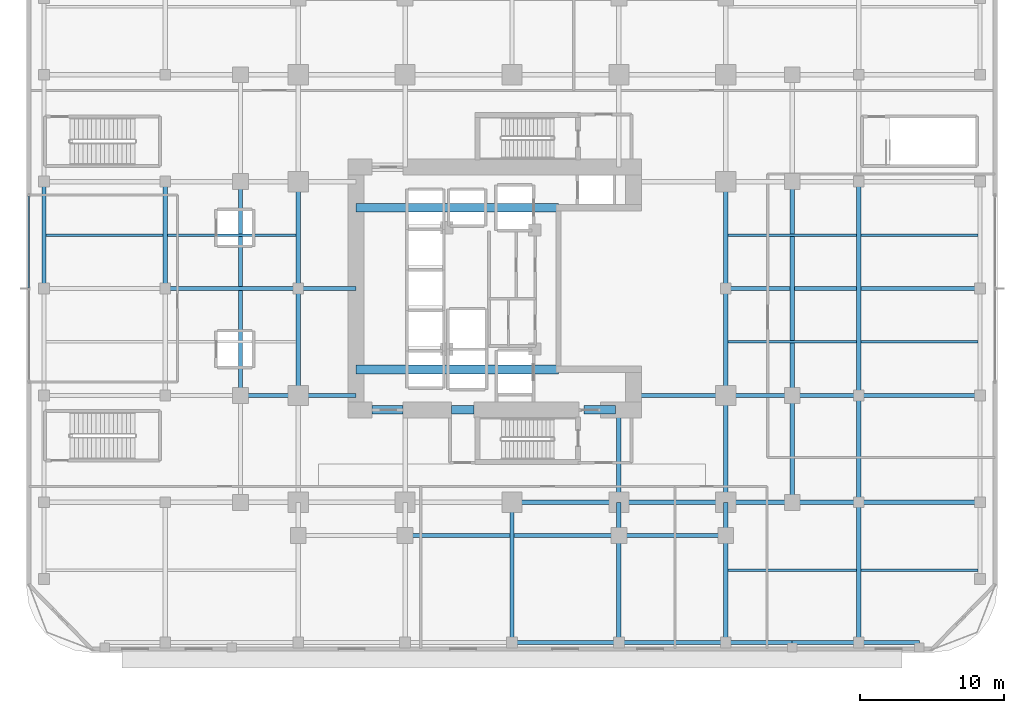
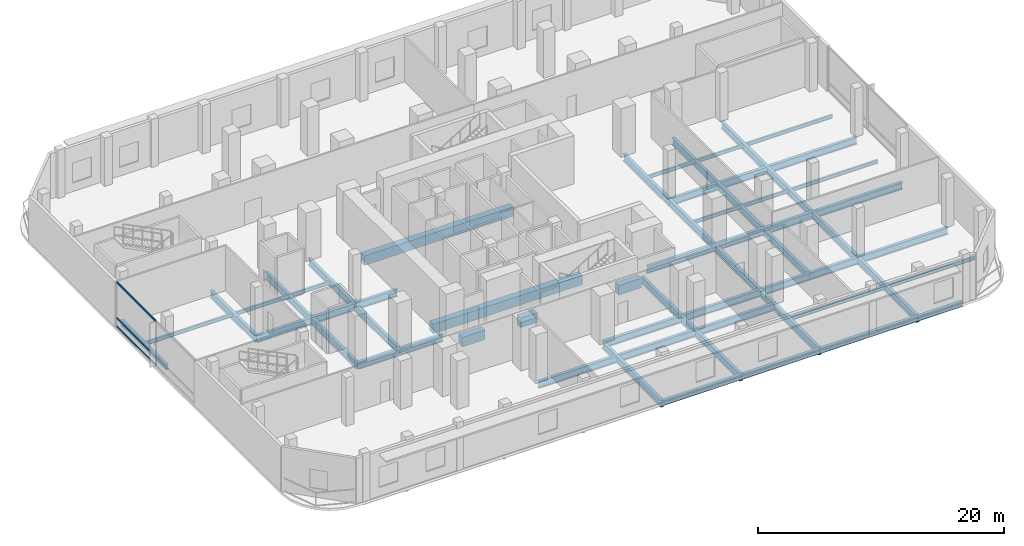
# One storey, part 3 of 19: 53 beams, 3 members, 1 element without a shape of its own.
"""IFC4 building model written with IfcOpenShell, lengths in metres."""

from ifc_helpers import new_model, si_unit, direction, frame, origin, origin_2d, place, context, subcontext, project, spatial, rectangle, hollow_rectangle, i_section, extrude, material, layer, layer_set, material_profile, profile_set, type_object, element, aggregate, save


model = new_model("IFC4")

# Units and contexts
model_context = context("Model", 3, precision=1e-05, world=origin(), true_north=direction((0.0, 1.0)))
body_context = subcontext(model_context, "Body", "Model", "MODEL_VIEW")
ifc_project = project(units=[si_unit("LENGTHUNIT", "METRE"), si_unit("AREAUNIT", "SQUARE_METRE"), si_unit("VOLUMEUNIT", "CUBIC_METRE"), si_unit("PLANEANGLEUNIT", "RADIAN"), si_unit("MASSUNIT", "GRAM", prefix="KILO")], contexts=[model_context])

# Site, building, storey
site_placement = place(None, origin())
site = spatial("IfcSite", under=ifc_project, at=site_placement, CompositionType="ELEMENT")
building_placement = place(site_placement, origin())
building = spatial("IfcBuilding", under=site, at=building_placement, Name="Khorvyn Point Tower", CompositionType="ELEMENT")
storey_placement = place(building_placement, frame((0.0, 0.0, 21.60009765625)))
storey = spatial("IfcBuildingStorey", under=building, at=storey_placement, Name="L06", CompositionType="ELEMENT", Elevation=21.60009765625)

# Curtain wall, members
ifc_material_1 = material(Name="Anodised aluminium 6063-T6 and laminated Low-E glass", Category="aluminium")
ifc_layer = layer(ifc_material_1, 0.18994140625)
ifc_layer_set = layer_set([ifc_layer], Name="Stick-Built Low-E Podium Curtain Wall CW-SYS-01")
curtain_wall_type = type_object("IfcCurtainWallType", Name="Stick-Built Low-E Podium Curtain Wall CW-SYS-01", PredefinedType="NOTDEFINED", material=ifc_layer_set)
curtain_wall_placement = place(storey_placement, origin())
curtain_wall = element("IfcCurtainWall", 1, at=curtain_wall_placement, inside=storey, type_object=curtain_wall_type, Name="Curtain Wall", PredefinedType="NOTDEFINED")
ifc_material_2 = material(Name="Anodised aluminium 6063-T6", Category="aluminium")
ifc_material_profile_1 = material_profile(ifc_material_2, hollow_rectangle(XDim=0.10009765625, YDim=0.159912109375, WallThickness=0.00439453125, at=origin_2d()))
ifc_profile_set_1 = profile_set([ifc_material_profile_1], Name="Anodised aluminium 6063-T6 ALU-TRN-100x160")
member_type = type_object("IfcMemberType", Name="Anodised Aluminium 6063-T6 Transom ALU-TRN-100x160", PredefinedType="USERDEFINED", material=ifc_profile_set_1)
member_1_placement = place(storey_placement, frame((-33.449951171875, 0.050048828125, 0.0498046875), z_axis=(0.0, 1.0, 0.0), x_axis=(-1.0, 0.0, 0.0)))
member_1 = element("IfcMember", 2, at=member_1_placement, type_object=member_type, Name="Transom", ObjectType="TRANSOM", PredefinedType="USERDEFINED", context=body_context, shape_type="SweptSolid", body=[
    extrude(hollow_rectangle(XDim=0.10009765625, YDim=0.159912109375, WallThickness=0.00439453125, at=origin_2d()), origin(), (0.0, 0.0, 1.0), 6.349853515625),
])
member_2_placement = place(storey_placement, frame((-33.449951171875, 0.050048828125, 0.89990234375), z_axis=(0.0, 1.0, 0.0), x_axis=(-1.0, 0.0, 0.0)))
member_2 = element("IfcMember", 3, at=member_2_placement, type_object=member_type, Name="Transom", ObjectType="TRANSOM", PredefinedType="USERDEFINED", context=body_context, shape_type="SweptSolid", body=[
    extrude(hollow_rectangle(XDim=0.10009765625, YDim=0.159912109375, WallThickness=0.00439453125, at=origin_2d()), origin(), (0.0, 0.0, 1.0), 6.349853515625),
])
member_3_placement = place(storey_placement, frame((-33.449951171875, 0.050048828125, 4.429931640625), z_axis=(0.0, 1.0, 0.0), x_axis=(-1.0, 0.0, 0.0)))
member_3 = element("IfcMember", 4, at=member_3_placement, type_object=member_type, Name="Transom", ObjectType="TRANSOM", PredefinedType="USERDEFINED", context=body_context, shape_type="SweptSolid", body=[
    extrude(hollow_rectangle(XDim=0.10009765625, YDim=0.159912109375, WallThickness=0.00439453125, at=origin_2d()), origin(), (0.0, 0.0, 1.0), 6.349853515625),
])
aggregate(curtain_wall, [member_1, member_2, member_3])

# Beams
ifc_material_3 = material(Name="Concrete C50/60", Category="concrete")
ifc_material_profile_2 = material_profile(ifc_material_3, rectangle(XDim=0.60009765625, YDim=0.949951171875, at=origin_2d()))
ifc_profile_set_2 = profile_set([ifc_material_profile_2], Name="Concrete C50/60 RC600x950")
beam_type_1 = type_object("IfcBeamType", Name="Concrete C50/60 Beam RC600x950", PredefinedType="BEAM", material=ifc_profile_set_2)
for number, where, z_axis, x_axis, name in (
    (5, (-10.800048828125, -5.60009765625, -0.715087890625), (1.0, 0.0, 0.0), (0.0, 1.0, 0.0), "L06 Core Internal Tie Girder S"),
    (6, (-10.800048828125, 5.60009765625, -0.715087890625), (1.0, 0.0, 0.0), (0.0, 1.0, 0.0), "L06 Core Internal Tie Girder N"),
):
    element("IfcBeam", number, at=place(storey_placement, frame(where, z_axis=z_axis, x_axis=x_axis)), inside=storey, type_object=beam_type_1, Name=name, PredefinedType="BEAM", context=body_context, shape_type="SweptSolid", body=[
        extrude(rectangle(XDim=0.60009765625, YDim=0.949951171875, at=origin_2d()), origin(), (0.0, 0.0, 1.0), 14.02001953125),
    ])
beam_1_placement = place(storey_placement, frame((-9.699951171875, -8.39990234375, -0.715087890625), z_axis=(1.0, 0.0, 0.0), x_axis=(0.0, 1.0, 0.0)))
element("IfcBeam", 7, at=beam_1_placement, inside=storey, type_object=beam_type_1, Name="L06 Core Southwest Portal Coupling Beam", PredefinedType="BEAM", context=body_context, shape_type="SweptSolid", body=[
    extrude(rectangle(XDim=0.60009765625, YDim=0.949951171875, at=origin_2d()), origin(), (0.0, 0.0, 1.0), 2.14990234375),
])
beam_2_placement = place(storey_placement, frame((-4.199951171875, -8.39990234375, -0.715087890625), z_axis=(1.0, 0.0, 0.0), x_axis=(0.0, 1.0, 0.0)))
element("IfcBeam", 8, at=beam_2_placement, inside=storey, type_object=beam_type_1, Name="L06 Core Shuttle Portal Coupling Beam", PredefinedType="BEAM", context=body_context, shape_type="SweptSolid", body=[
    extrude(rectangle(XDim=0.60009765625, YDim=0.949951171875, at=origin_2d()), origin(), (0.0, 0.0, 1.0), 1.579833984375),
])
beam_3_placement = place(storey_placement, frame((5.0, -8.39990234375, -0.715087890625), z_axis=(1.0, 0.0, 0.0), x_axis=(0.0, 1.0, 0.0)))
element("IfcBeam", 9, at=beam_3_placement, inside=storey, type_object=beam_type_1, Name="L06 Core Southeast Portal Coupling Beam", PredefinedType="BEAM", context=body_context, shape_type="SweptSolid", body=[
    extrude(rectangle(XDim=0.60009765625, YDim=0.949951171875, at=origin_2d()), origin(), (0.0, 0.0, 1.0), 2.14990234375),
])
ifc_material_4 = material(Name="Steel S355", Category="steel")
ifc_material_profile_3 = material_profile(ifc_material_4, i_section(OverallWidth=0.300048828125, OverallDepth=0.699951171875, WebThickness=0.012939453125, FlangeThickness=0.02392578125, at=origin_2d()))
ifc_profile_set_3 = profile_set([ifc_material_profile_3], Name="Steel S355 H700x300x13x24")
beam_type_2 = type_object("IfcBeamType", Name="Steel S355 Beam H700x300x13x24", PredefinedType="BEAM", material=ifc_profile_set_3)
beam_4_placement = place(storey_placement, frame((0.0, -14.800048828125, -0.590087890625), z_axis=(1.0, 0.0, 0.0), x_axis=(0.0, 1.0, 0.0)))
element("IfcBeam", 10, at=beam_4_placement, inside=storey, type_object=beam_type_2, Name="Beam", PredefinedType="BEAM", context=body_context, shape_type="SweptSolid", body=[
    extrude(i_section(OverallWidth=0.300048828125, OverallDepth=0.699951171875, WebThickness=0.012939453125, FlangeThickness=0.02392578125, at=origin_2d()), origin(), (0.0, 0.0, 1.0), 7.39990234375),
])
beam_5_placement = place(storey_placement, frame((7.39990234375, -14.800048828125, -0.590087890625), z_axis=(1.0, 0.0, 0.0), x_axis=(0.0, 1.0, 0.0)))
element("IfcBeam", 11, at=beam_5_placement, inside=storey, type_object=beam_type_2, Name="Beam", PredefinedType="BEAM", context=body_context, shape_type="SweptSolid", body=[
    extrude(i_section(OverallWidth=0.300048828125, OverallDepth=0.699951171875, WebThickness=0.012939453125, FlangeThickness=0.02392578125, at=origin_2d()), origin(), (0.0, 0.0, 1.0), 7.400146484375),
])
beam_6_placement = place(storey_placement, frame((14.800048828125, -14.800048828125, -0.590087890625), z_axis=(1.0, 0.0, 0.0), x_axis=(0.0, 1.0, 0.0)))
element("IfcBeam", 12, at=beam_6_placement, inside=storey, type_object=beam_type_2, Name="Beam", PredefinedType="BEAM", context=body_context, shape_type="SweptSolid", body=[
    extrude(i_section(OverallWidth=0.300048828125, OverallDepth=0.699951171875, WebThickness=0.012939453125, FlangeThickness=0.02392578125, at=origin_2d()), origin(), (0.0, 0.0, 1.0), 4.599853515625),
])
beam_7_placement = place(storey_placement, frame((19.39990234375, -14.800048828125, -0.590087890625), z_axis=(1.0, 0.0, 0.0), x_axis=(0.0, 1.0, 0.0)))
element("IfcBeam", 13, at=beam_7_placement, inside=storey, type_object=beam_type_2, Name="Beam", PredefinedType="BEAM", context=body_context, shape_type="SweptSolid", body=[
    extrude(i_section(OverallWidth=0.300048828125, OverallDepth=0.699951171875, WebThickness=0.012939453125, FlangeThickness=0.02392578125, at=origin_2d()), origin(), (0.0, 0.0, 1.0), 4.60009765625),
])
beam_8_placement = place(storey_placement, frame((24.0, -14.800048828125, -0.590087890625), z_axis=(1.0, 0.0, 0.0), x_axis=(0.0, 1.0, 0.0)))
element("IfcBeam", 14, at=beam_8_placement, inside=storey, type_object=beam_type_2, Name="Beam", PredefinedType="BEAM", context=body_context, shape_type="SweptSolid", body=[
    extrude(i_section(OverallWidth=0.300048828125, OverallDepth=0.699951171875, WebThickness=0.012939453125, FlangeThickness=0.02392578125, at=origin_2d()), origin(), (0.0, 0.0, 1.0), 8.39990234375),
])
for number, where, z_axis, x_axis, name in (
    (15, (-18.800048828125, -7.39990234375, -0.590087890625), (1.0, 0.0, 0.0), (0.0, 1.0, 0.0), "Beam"),
    (16, (-14.800048828125, -7.39990234375, -0.590087890625), (1.0, 0.0, 0.0), (0.0, 1.0, 0.0), "Beam"),
):
    element("IfcBeam", number, at=place(storey_placement, frame(where, z_axis=z_axis, x_axis=x_axis)), inside=storey, type_object=beam_type_2, Name=name, PredefinedType="BEAM", context=body_context, shape_type="SweptSolid", body=[
        extrude(i_section(OverallWidth=0.300048828125, OverallDepth=0.699951171875, WebThickness=0.012939453125, FlangeThickness=0.02392578125, at=origin_2d()), origin(), (0.0, 0.0, 1.0), 4.0),
    ])
beam_9_placement = place(storey_placement, frame((8.39990234375, -7.39990234375, -0.590087890625), z_axis=(1.0, 0.0, 0.0), x_axis=(0.0, 1.0, 0.0)))
element("IfcBeam", 17, at=beam_9_placement, inside=storey, type_object=beam_type_2, Name="Beam", PredefinedType="BEAM", context=body_context, shape_type="SweptSolid", body=[
    extrude(i_section(OverallWidth=0.300048828125, OverallDepth=0.699951171875, WebThickness=0.012939453125, FlangeThickness=0.02392578125, at=origin_2d()), origin(), (0.0, 0.0, 1.0), 6.400146484375),
])
beam_10_placement = place(storey_placement, frame((14.800048828125, -7.39990234375, -0.590087890625), z_axis=(1.0, 0.0, 0.0), x_axis=(0.0, 1.0, 0.0)))
element("IfcBeam", 18, at=beam_10_placement, inside=storey, type_object=beam_type_2, Name="Beam", PredefinedType="BEAM", context=body_context, shape_type="SweptSolid", body=[
    extrude(i_section(OverallWidth=0.300048828125, OverallDepth=0.699951171875, WebThickness=0.012939453125, FlangeThickness=0.02392578125, at=origin_2d()), origin(), (0.0, 0.0, 1.0), 4.599853515625),
])
beam_11_placement = place(storey_placement, frame((19.39990234375, -7.39990234375, -0.590087890625), z_axis=(1.0, 0.0, 0.0), x_axis=(0.0, 1.0, 0.0)))
element("IfcBeam", 19, at=beam_11_placement, inside=storey, type_object=beam_type_2, Name="Beam", PredefinedType="BEAM", context=body_context, shape_type="SweptSolid", body=[
    extrude(i_section(OverallWidth=0.300048828125, OverallDepth=0.699951171875, WebThickness=0.012939453125, FlangeThickness=0.02392578125, at=origin_2d()), origin(), (0.0, 0.0, 1.0), 4.60009765625),
])
beam_12_placement = place(storey_placement, frame((24.0, -7.39990234375, -0.590087890625), z_axis=(1.0, 0.0, 0.0), x_axis=(0.0, 1.0, 0.0)))
element("IfcBeam", 20, at=beam_12_placement, inside=storey, type_object=beam_type_2, Name="Beam", PredefinedType="BEAM", context=body_context, shape_type="SweptSolid", body=[
    extrude(i_section(OverallWidth=0.300048828125, OverallDepth=0.699951171875, WebThickness=0.012939453125, FlangeThickness=0.02392578125, at=origin_2d()), origin(), (0.0, 0.0, 1.0), 8.39990234375),
])
beam_13_placement = place(storey_placement, frame((-24.0, 0.0, -0.590087890625), z_axis=(1.0, 0.0, 0.0), x_axis=(0.0, 1.0, 0.0)))
element("IfcBeam", 21, at=beam_13_placement, inside=storey, type_object=beam_type_2, Name="Beam", PredefinedType="BEAM", context=body_context, shape_type="SweptSolid", body=[
    extrude(i_section(OverallWidth=0.300048828125, OverallDepth=0.699951171875, WebThickness=0.012939453125, FlangeThickness=0.02392578125, at=origin_2d()), origin(), (0.0, 0.0, 1.0), 9.199951171875),
])
beam_14_placement = place(storey_placement, frame((-14.800048828125, 0.0, -0.590087890625), z_axis=(1.0, 0.0, 0.0), x_axis=(0.0, 1.0, 0.0)))
element("IfcBeam", 22, at=beam_14_placement, inside=storey, type_object=beam_type_2, Name="Beam", PredefinedType="BEAM", context=body_context, shape_type="SweptSolid", body=[
    extrude(i_section(OverallWidth=0.300048828125, OverallDepth=0.699951171875, WebThickness=0.012939453125, FlangeThickness=0.02392578125, at=origin_2d()), origin(), (0.0, 0.0, 1.0), 4.0),
])
beam_15_placement = place(storey_placement, frame((14.800048828125, 0.0, -0.590087890625), z_axis=(1.0, 0.0, 0.0), x_axis=(0.0, 1.0, 0.0)))
element("IfcBeam", 23, at=beam_15_placement, inside=storey, type_object=beam_type_2, Name="Beam", PredefinedType="BEAM", context=body_context, shape_type="SweptSolid", body=[
    extrude(i_section(OverallWidth=0.300048828125, OverallDepth=0.699951171875, WebThickness=0.012939453125, FlangeThickness=0.02392578125, at=origin_2d()), origin(), (0.0, 0.0, 1.0), 17.599853515625),
])
beam_16_placement = place(storey_placement, frame((-7.39990234375, -17.10009765625, -0.590087890625), z_axis=(1.0, 0.0, 0.0), x_axis=(0.0, 1.0, 0.0)))
element("IfcBeam", 24, at=beam_16_placement, inside=storey, type_object=beam_type_2, Name="Beam", PredefinedType="BEAM", context=body_context, shape_type="SweptSolid", body=[
    extrude(i_section(OverallWidth=0.300048828125, OverallDepth=0.699951171875, WebThickness=0.012939453125, FlangeThickness=0.02392578125, at=origin_2d()), origin(), (0.0, 0.0, 1.0), 14.7998046875),
])
beam_17_placement = place(storey_placement, frame((7.39990234375, -17.10009765625, -0.590087890625), z_axis=(1.0, 0.0, 0.0), x_axis=(0.0, 1.0, 0.0)))
element("IfcBeam", 25, at=beam_17_placement, inside=storey, type_object=beam_type_2, Name="Beam", PredefinedType="BEAM", context=body_context, shape_type="SweptSolid", body=[
    extrude(i_section(OverallWidth=0.300048828125, OverallDepth=0.699951171875, WebThickness=0.012939453125, FlangeThickness=0.02392578125, at=origin_2d()), origin(), (0.0, 0.0, 1.0), 7.400146484375),
])
for number, where, z_axis, x_axis, name in (
    (26, (-24.0, 0.0, -0.590087890625), (0.0, 1.0, 0.0), (-1.0, 0.0, 0.0), "Beam"),
    (27, (-14.800048828125, -7.39990234375, -0.590087890625), (0.0, 1.0, 0.0), (-1.0, 0.0, 0.0), "Beam"),
    (28, (-14.800048828125, 0.0, -0.590087890625), (0.0, 1.0, 0.0), (-1.0, 0.0, 0.0), "Beam"),
):
    element("IfcBeam", number, at=place(storey_placement, frame(where, z_axis=z_axis, x_axis=x_axis)), inside=storey, type_object=beam_type_2, Name=name, PredefinedType="BEAM", context=body_context, shape_type="SweptSolid", body=[
        extrude(i_section(OverallWidth=0.300048828125, OverallDepth=0.699951171875, WebThickness=0.012939453125, FlangeThickness=0.02392578125, at=origin_2d()), origin(), (0.0, 0.0, 1.0), 7.39990234375),
    ])
beam_18_placement = place(storey_placement, frame((0.0, -24.5, -0.590087890625), z_axis=(0.0, 1.0, 0.0), x_axis=(-1.0, 0.0, 0.0)))
element("IfcBeam", 29, at=beam_18_placement, inside=storey, type_object=beam_type_2, Name="Beam", PredefinedType="BEAM", context=body_context, shape_type="SweptSolid", body=[
    extrude(i_section(OverallWidth=0.300048828125, OverallDepth=0.699951171875, WebThickness=0.012939453125, FlangeThickness=0.02392578125, at=origin_2d()), origin(), (0.0, 0.0, 1.0), 9.699951171875),
])
beam_19_placement = place(storey_placement, frame((7.39990234375, -24.5, -0.590087890625), z_axis=(0.0, 1.0, 0.0), x_axis=(-1.0, 0.0, 0.0)))
element("IfcBeam", 30, at=beam_19_placement, inside=storey, type_object=beam_type_2, Name="Beam", PredefinedType="BEAM", context=body_context, shape_type="SweptSolid", body=[
    extrude(i_section(OverallWidth=0.300048828125, OverallDepth=0.699951171875, WebThickness=0.012939453125, FlangeThickness=0.02392578125, at=origin_2d()), origin(), (0.0, 0.0, 1.0), 7.39990234375),
])
beam_20_placement = place(storey_placement, frame((7.39990234375, -17.10009765625, -0.590087890625), z_axis=(0.0, 1.0, 0.0), x_axis=(-1.0, 0.0, 0.0)))
element("IfcBeam", 31, at=beam_20_placement, inside=storey, type_object=beam_type_2, Name="Beam", PredefinedType="BEAM", context=body_context, shape_type="SweptSolid", body=[
    extrude(i_section(OverallWidth=0.300048828125, OverallDepth=0.699951171875, WebThickness=0.012939453125, FlangeThickness=0.02392578125, at=origin_2d()), origin(), (0.0, 0.0, 1.0), 2.300048828125),
])
beam_21_placement = place(storey_placement, frame((7.39990234375, -14.800048828125, -0.590087890625), z_axis=(0.0, 1.0, 0.0), x_axis=(-1.0, 0.0, 0.0)))
element("IfcBeam", 32, at=beam_21_placement, inside=storey, type_object=beam_type_2, Name="Beam", PredefinedType="BEAM", context=body_context, shape_type="SweptSolid", body=[
    extrude(i_section(OverallWidth=0.300048828125, OverallDepth=0.699951171875, WebThickness=0.012939453125, FlangeThickness=0.02392578125, at=origin_2d()), origin(), (0.0, 0.0, 1.0), 6.400146484375),
])
beam_22_placement = place(storey_placement, frame((14.800048828125, -24.5, -0.590087890625), z_axis=(0.0, 1.0, 0.0), x_axis=(-1.0, 0.0, 0.0)))
element("IfcBeam", 33, at=beam_22_placement, inside=storey, type_object=beam_type_2, Name="Beam", PredefinedType="BEAM", context=body_context, shape_type="SweptSolid", body=[
    extrude(i_section(OverallWidth=0.300048828125, OverallDepth=0.699951171875, WebThickness=0.012939453125, FlangeThickness=0.02392578125, at=origin_2d()), origin(), (0.0, 0.0, 1.0), 7.39990234375),
])
beam_23_placement = place(storey_placement, frame((14.800048828125, -17.10009765625, -0.590087890625), z_axis=(0.0, 1.0, 0.0), x_axis=(-1.0, 0.0, 0.0)))
element("IfcBeam", 34, at=beam_23_placement, inside=storey, type_object=beam_type_2, Name="Beam", PredefinedType="BEAM", context=body_context, shape_type="SweptSolid", body=[
    extrude(i_section(OverallWidth=0.300048828125, OverallDepth=0.699951171875, WebThickness=0.012939453125, FlangeThickness=0.02392578125, at=origin_2d()), origin(), (0.0, 0.0, 1.0), 2.300048828125),
])
beam_24_placement = place(storey_placement, frame((14.800048828125, -14.800048828125, -0.590087890625), z_axis=(0.0, 1.0, 0.0), x_axis=(-1.0, 0.0, 0.0)))
element("IfcBeam", 35, at=beam_24_placement, inside=storey, type_object=beam_type_2, Name="Beam", PredefinedType="BEAM", context=body_context, shape_type="SweptSolid", body=[
    extrude(i_section(OverallWidth=0.300048828125, OverallDepth=0.699951171875, WebThickness=0.012939453125, FlangeThickness=0.02392578125, at=origin_2d()), origin(), (0.0, 0.0, 1.0), 7.400146484375),
])
for number, where, z_axis, x_axis, name in (
    (36, (14.800048828125, -7.39990234375, -0.590087890625), (0.0, 1.0, 0.0), (-1.0, 0.0, 0.0), "Beam"),
    (37, (14.800048828125, 0.0, -0.590087890625), (0.0, 1.0, 0.0), (-1.0, 0.0, 0.0), "Beam"),
):
    element("IfcBeam", number, at=place(storey_placement, frame(where, z_axis=z_axis, x_axis=x_axis)), inside=storey, type_object=beam_type_2, Name=name, PredefinedType="BEAM", context=body_context, shape_type="SweptSolid", body=[
        extrude(i_section(OverallWidth=0.300048828125, OverallDepth=0.699951171875, WebThickness=0.012939453125, FlangeThickness=0.02392578125, at=origin_2d()), origin(), (0.0, 0.0, 1.0), 7.39990234375),
    ])
beam_25_placement = place(storey_placement, frame((24.0, -24.5, -0.590087890625), z_axis=(0.0, 1.0, 0.0), x_axis=(-1.0, 0.0, 0.0)))
element("IfcBeam", 38, at=beam_25_placement, inside=storey, type_object=beam_type_2, Name="Beam", PredefinedType="BEAM", context=body_context, shape_type="SweptSolid", body=[
    extrude(i_section(OverallWidth=0.300048828125, OverallDepth=0.699951171875, WebThickness=0.012939453125, FlangeThickness=0.02392578125, at=origin_2d()), origin(), (0.0, 0.0, 1.0), 9.699951171875),
])
beam_26_placement = place(storey_placement, frame((24.0, -14.800048828125, -0.590087890625), z_axis=(0.0, 1.0, 0.0), x_axis=(-1.0, 0.0, 0.0)))
element("IfcBeam", 39, at=beam_26_placement, inside=storey, type_object=beam_type_2, Name="Beam", PredefinedType="BEAM", context=body_context, shape_type="SweptSolid", body=[
    extrude(i_section(OverallWidth=0.300048828125, OverallDepth=0.699951171875, WebThickness=0.012939453125, FlangeThickness=0.02392578125, at=origin_2d()), origin(), (0.0, 0.0, 1.0), 7.400146484375),
])
for number, where, z_axis, x_axis, name in (
    (40, (24.0, -7.39990234375, -0.590087890625), (0.0, 1.0, 0.0), (-1.0, 0.0, 0.0), "Beam"),
    (41, (-18.800048828125, -7.39990234375, -0.590087890625), (0.0, 1.0, 0.0), (-1.0, 0.0, 0.0), "Beam"),
):
    element("IfcBeam", number, at=place(storey_placement, frame(where, z_axis=z_axis, x_axis=x_axis)), inside=storey, type_object=beam_type_2, Name=name, PredefinedType="BEAM", context=body_context, shape_type="SweptSolid", body=[
        extrude(i_section(OverallWidth=0.300048828125, OverallDepth=0.699951171875, WebThickness=0.012939453125, FlangeThickness=0.02392578125, at=origin_2d()), origin(), (0.0, 0.0, 1.0), 14.7998046875),
    ])
beam_27_placement = place(storey_placement, frame((19.39990234375, -14.800048828125, -0.590087890625), z_axis=(0.0, 1.0, 0.0), x_axis=(-1.0, 0.0, 0.0)))
element("IfcBeam", 42, at=beam_27_placement, inside=storey, type_object=beam_type_2, Name="Beam", PredefinedType="BEAM", context=body_context, shape_type="SweptSolid", body=[
    extrude(i_section(OverallWidth=0.300048828125, OverallDepth=0.699951171875, WebThickness=0.012939453125, FlangeThickness=0.02392578125, at=origin_2d()), origin(), (0.0, 0.0, 1.0), 7.400146484375),
])
beam_28_placement = place(storey_placement, frame((19.39990234375, -7.39990234375, -0.590087890625), z_axis=(0.0, 1.0, 0.0), x_axis=(-1.0, 0.0, 0.0)))
element("IfcBeam", 43, at=beam_28_placement, inside=storey, type_object=beam_type_2, Name="Beam", PredefinedType="BEAM", context=body_context, shape_type="SweptSolid", body=[
    extrude(i_section(OverallWidth=0.300048828125, OverallDepth=0.699951171875, WebThickness=0.012939453125, FlangeThickness=0.02392578125, at=origin_2d()), origin(), (0.0, 0.0, 1.0), 14.7998046875),
])
ifc_material_profile_4 = material_profile(ifc_material_4, i_section(OverallWidth=0.175048828125, OverallDepth=0.35009765625, WebThickness=0.007080078125, FlangeThickness=0.010986328125, at=origin_2d()))
ifc_profile_set_4 = profile_set([ifc_material_profile_4], Name="Steel S355 H350x175x7x11")
beam_type_3 = type_object("IfcBeamType", Name="Steel S355 Joist H350x175x7x11", PredefinedType="JOIST", material=ifc_profile_set_4)
beam_29_placement = place(storey_placement, frame((14.949951171875, -19.5, -0.4150390625), z_axis=(1.0, 0.0, 0.0), x_axis=(0.0, 1.0, 0.0)))
element("IfcBeam", 44, at=beam_29_placement, inside=storey, type_object=beam_type_3, Name="Beam", PredefinedType="JOIST", context=body_context, shape_type="SweptSolid", body=[
    extrude(i_section(OverallWidth=0.175048828125, OverallDepth=0.35009765625, WebThickness=0.007080078125, FlangeThickness=0.010986328125, at=origin_2d()), origin(), (0.0, 0.0, 1.0), 8.900146484375),
])
beam_30_placement = place(storey_placement, frame((24.14990234375, -19.5, -0.4150390625), z_axis=(1.0, 0.0, 0.0), x_axis=(0.0, 1.0, 0.0)))
element("IfcBeam", 45, at=beam_30_placement, inside=storey, type_object=beam_type_3, Name="Beam", PredefinedType="JOIST", context=body_context, shape_type="SweptSolid", body=[
    extrude(i_section(OverallWidth=0.175048828125, OverallDepth=0.35009765625, WebThickness=0.007080078125, FlangeThickness=0.010986328125, at=origin_2d()), origin(), (0.0, 0.0, 1.0), 8.10009765625),
])
beam_31_placement = place(storey_placement, frame((14.949951171875, -3.699951171875, -0.4150390625), z_axis=(1.0, 0.0, 0.0), x_axis=(0.0, 1.0, 0.0)))
element("IfcBeam", 46, at=beam_31_placement, inside=storey, type_object=beam_type_3, Name="Beam", PredefinedType="JOIST", context=body_context, shape_type="SweptSolid", body=[
    extrude(i_section(OverallWidth=0.175048828125, OverallDepth=0.35009765625, WebThickness=0.007080078125, FlangeThickness=0.010986328125, at=origin_2d()), origin(), (0.0, 0.0, 1.0), 8.900146484375),
])
for number, where, z_axis, x_axis, name in (
    (47, (24.14990234375, -3.699951171875, -0.4150390625), (1.0, 0.0, 0.0), (0.0, 1.0, 0.0), "Beam"),
    (48, (-32.25, 3.699951171875, -0.4150390625), (1.0, 0.0, 0.0), (0.0, 1.0, 0.0), "Beam"),
):
    element("IfcBeam", number, at=place(storey_placement, frame(where, z_axis=z_axis, x_axis=x_axis)), inside=storey, type_object=beam_type_3, Name=name, PredefinedType="JOIST", context=body_context, shape_type="SweptSolid", body=[
        extrude(i_section(OverallWidth=0.175048828125, OverallDepth=0.35009765625, WebThickness=0.007080078125, FlangeThickness=0.010986328125, at=origin_2d()), origin(), (0.0, 0.0, 1.0), 8.10009765625),
    ])
for number, where, z_axis, x_axis, name in (
    (49, (-23.85009765625, 3.699951171875, -0.4150390625), (1.0, 0.0, 0.0), (0.0, 1.0, 0.0), "Beam"),
    (50, (14.949951171875, 3.699951171875, -0.4150390625), (1.0, 0.0, 0.0), (0.0, 1.0, 0.0), "Beam"),
):
    element("IfcBeam", number, at=place(storey_placement, frame(where, z_axis=z_axis, x_axis=x_axis)), inside=storey, type_object=beam_type_3, Name=name, PredefinedType="JOIST", context=body_context, shape_type="SweptSolid", body=[
        extrude(i_section(OverallWidth=0.175048828125, OverallDepth=0.35009765625, WebThickness=0.007080078125, FlangeThickness=0.010986328125, at=origin_2d()), origin(), (0.0, 0.0, 1.0), 8.900146484375),
    ])
beam_32_placement = place(storey_placement, frame((24.14990234375, 3.699951171875, -0.4150390625), z_axis=(1.0, 0.0, 0.0), x_axis=(0.0, 1.0, 0.0)))
element("IfcBeam", 51, at=beam_32_placement, inside=storey, type_object=beam_type_3, Name="Beam", PredefinedType="JOIST", context=body_context, shape_type="SweptSolid", body=[
    extrude(i_section(OverallWidth=0.175048828125, OverallDepth=0.35009765625, WebThickness=0.007080078125, FlangeThickness=0.010986328125, at=origin_2d()), origin(), (0.0, 0.0, 1.0), 8.10009765625),
])
ifc_material_profile_5 = material_profile(ifc_material_4, i_section(OverallWidth=0.300048828125, OverallDepth=0.488037109375, WebThickness=0.010986328125, FlangeThickness=0.01806640625, at=origin_2d()))
ifc_profile_set_5 = profile_set([ifc_material_profile_5], Name="Steel S355 H488x300x11x18")
beam_type_4 = type_object("IfcBeamType", Name="Steel S355 Spandrel H488x300x11x18", PredefinedType="SPANDREL", material=ifc_profile_set_5)
beam_33_placement = place(storey_placement, frame((0.0, -24.5, -0.484130859375), z_axis=(1.0, 0.0, 0.0), x_axis=(0.0, 1.0, 0.0)))
element("IfcBeam", 52, at=beam_33_placement, inside=storey, type_object=beam_type_4, Name="Beam", PredefinedType="SPANDREL", context=body_context, shape_type="SweptSolid", body=[
    extrude(i_section(OverallWidth=0.300048828125, OverallDepth=0.488037109375, WebThickness=0.010986328125, FlangeThickness=0.01806640625, at=origin_2d()), origin(), (0.0, 0.0, 1.0), 7.39990234375),
])
beam_34_placement = place(storey_placement, frame((7.39990234375, -24.5, -0.484130859375), z_axis=(1.0, 0.0, 0.0), x_axis=(0.0, 1.0, 0.0)))
element("IfcBeam", 53, at=beam_34_placement, inside=storey, type_object=beam_type_4, Name="Beam", PredefinedType="SPANDREL", context=body_context, shape_type="SweptSolid", body=[
    extrude(i_section(OverallWidth=0.300048828125, OverallDepth=0.488037109375, WebThickness=0.010986328125, FlangeThickness=0.01806640625, at=origin_2d()), origin(), (0.0, 0.0, 1.0), 7.400146484375),
])
beam_35_placement = place(storey_placement, frame((14.800048828125, -24.5, -0.484130859375), z_axis=(1.0, 0.0, 0.0), x_axis=(0.0, 1.0, 0.0)))
element("IfcBeam", 54, at=beam_35_placement, inside=storey, type_object=beam_type_4, Name="Beam", PredefinedType="SPANDREL", context=body_context, shape_type="SweptSolid", body=[
    extrude(i_section(OverallWidth=0.300048828125, OverallDepth=0.488037109375, WebThickness=0.010986328125, FlangeThickness=0.01806640625, at=origin_2d()), origin(), (0.0, 0.0, 1.0), 4.599853515625),
])
beam_36_placement = place(storey_placement, frame((19.39990234375, -24.5, -0.484130859375), z_axis=(1.0, 0.0, 0.0), x_axis=(0.0, 1.0, 0.0)))
element("IfcBeam", 55, at=beam_36_placement, inside=storey, type_object=beam_type_4, Name="Beam", PredefinedType="SPANDREL", context=body_context, shape_type="SweptSolid", body=[
    extrude(i_section(OverallWidth=0.300048828125, OverallDepth=0.488037109375, WebThickness=0.010986328125, FlangeThickness=0.01806640625, at=origin_2d()), origin(), (0.0, 0.0, 1.0), 4.60009765625),
])
beam_37_placement = place(storey_placement, frame((24.0, -24.5, -0.484130859375), z_axis=(1.0, 0.0, 0.0), x_axis=(0.0, 1.0, 0.0)))
element("IfcBeam", 56, at=beam_37_placement, inside=storey, type_object=beam_type_4, Name="Beam", PredefinedType="SPANDREL", context=body_context, shape_type="SweptSolid", body=[
    extrude(i_section(OverallWidth=0.300048828125, OverallDepth=0.488037109375, WebThickness=0.010986328125, FlangeThickness=0.01806640625, at=origin_2d()), origin(), (0.0, 0.0, 1.0), 4.199951171875),
])
beam_38_placement = place(storey_placement, frame((-32.39990234375, 0.0, -0.484130859375), z_axis=(0.0, 1.0, 0.0), x_axis=(-1.0, 0.0, 0.0)))
element("IfcBeam", 57, at=beam_38_placement, inside=storey, type_object=beam_type_4, Name="Beam", PredefinedType="SPANDREL", context=body_context, shape_type="SweptSolid", body=[
    extrude(i_section(OverallWidth=0.300048828125, OverallDepth=0.488037109375, WebThickness=0.010986328125, FlangeThickness=0.01806640625, at=origin_2d()), origin(), (0.0, 0.0, 1.0), 7.39990234375),
])

save(model, "model.ifc")
